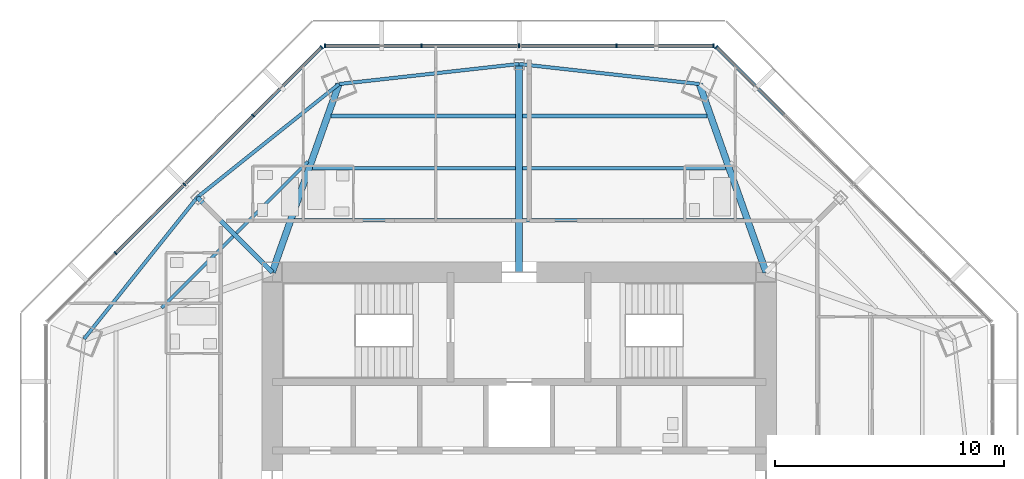
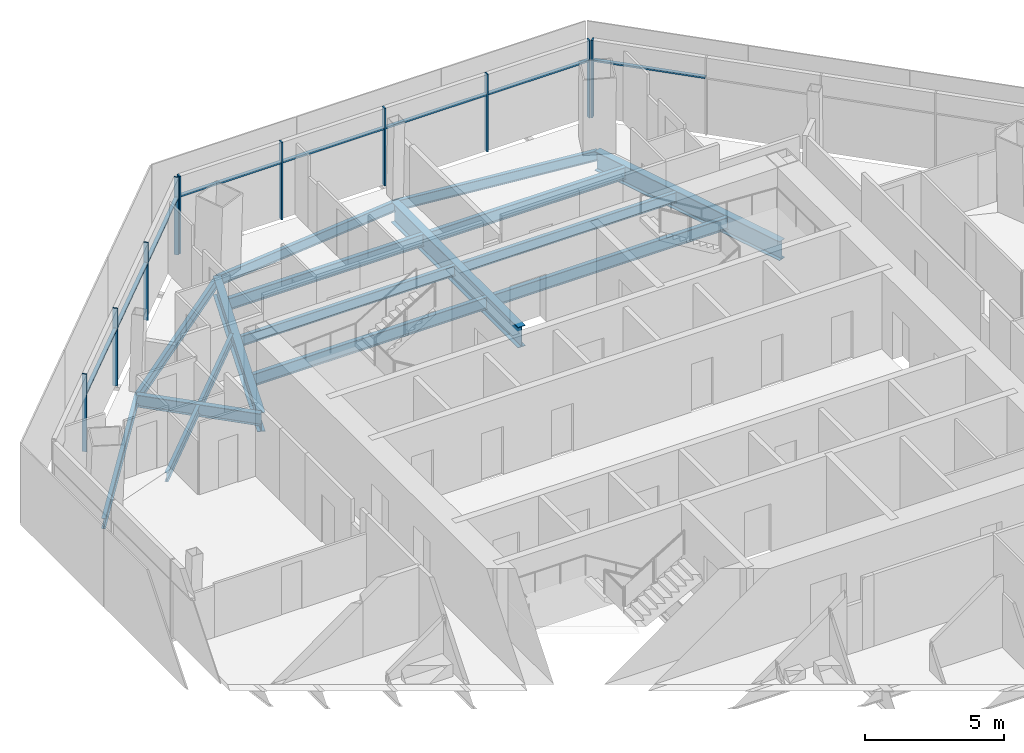
# One storey, part 5 of 15: 18 members, 16 beams, 3 elements without a shape of their own.
"""IFC4 building model written with IfcOpenShell, lengths in metres."""

from ifc_helpers import new_model, si_unit, direction, frame, origin, origin_2d, place, context, subcontext, project, spatial, rectangle, i_section, extrude, source, transform, mapped, material, material_profile, profile_set, type_object, type_shapes, element, aggregate, save


model = new_model("IFC4")

# Units and contexts
model_context = context("Model", 3, precision=1e-05, world=origin(), true_north=direction((0.0, 1.0)))
body_context = subcontext(model_context, "Body", "Model", "MODEL_VIEW")
ifc_project = project(units=[si_unit("LENGTHUNIT", "METRE"), si_unit("AREAUNIT", "SQUARE_METRE"), si_unit("VOLUMEUNIT", "CUBIC_METRE"), si_unit("PLANEANGLEUNIT", "RADIAN"), si_unit("MASSUNIT", "GRAM", prefix="KILO")], contexts=[model_context])

# Site, building, storey
site_placement = place(None, origin())
site = spatial("IfcSite", under=ifc_project, at=site_placement, CompositionType="ELEMENT")
building_placement = place(site_placement, origin())
building = spatial("IfcBuilding", under=site, at=building_placement, Name="Mashrafa Tower", CompositionType="ELEMENT")
storey_placement = place(building_placement, frame((0.0, 0.0, 258.39990234375)))
storey = spatial("IfcBuildingStorey", under=building, at=storey_placement, Name="L62", CompositionType="ELEMENT", Elevation=258.39990234375)

# Beams
ifc_material_1 = material(Name="Steel ASTM A992", Category="steel")
ifc_material_profile_1 = material_profile(ifc_material_1, i_section(OverallWidth=0.140380859375, OverallDepth=0.40380859375, WebThickness=0.007080078125, FlangeThickness=0.01123046875, FilletRadius=0.01025390625, at=origin_2d()), Name="W16X31")
ifc_profile_set_1 = profile_set([ifc_material_profile_1], Name="Steel ASTM A992")
beam_type_1 = type_object("IfcBeamType", Name="Beam W16X31", PredefinedType="BEAM", material=ifc_profile_set_1)
for number, where, z_axis, x_axis, name in (
    (1, (-15.637939453125, 9.240966796875, -0.40185546875), (0.707106781187, 0.707106781187, 0.0), (-0.707106781187, 0.707106781187, 0.0), "Floor beam L62 003"),
    (2, (-12.365478515625, 12.513427734375, -0.40185546875), (0.707106781187, 0.707106781187, 0.0), (-0.707106781187, 0.707106781187, 0.0), "Floor beam L62 009"),
):
    element("IfcBeam", number, at=place(storey_placement, frame(where, z_axis=z_axis, x_axis=x_axis)), inside=storey, type_object=beam_type_1, Name=name, PredefinedType="BEAM", context=body_context, shape_type="SweptSolid", body=[
        extrude(i_section(OverallWidth=0.140380859375, OverallDepth=0.40380859375, WebThickness=0.007080078125, FlangeThickness=0.01123046875, FilletRadius=0.01025390625, at=origin_2d()), origin(), (0.0, 0.0, 1.0), 4.418701171875),
    ])
ifc_material_2 = material(Name="Steel ASTM A992", Category="steel")
ifc_material_profile_2 = material_profile(ifc_material_2, i_section(OverallWidth=0.15234375, OverallDepth=0.449462890625, WebThickness=0.007568359375, FlangeThickness=0.0107421875, FilletRadius=0.01025390625, at=origin_2d()), Name="W18X35")
ifc_profile_set_2 = profile_set([ifc_material_profile_2], Name="Steel ASTM A992")
beam_type_2 = type_object("IfcBeamType", Name="Beam W18X35", PredefinedType="BEAM", material=ifc_profile_set_2)
for number, where, z_axis, x_axis, name in (
    (3, (-9.03125, 15.355224609375, -0.4248046875), (1.0, 0.0, 0.0), (0.0, 1.0, 0.0), "Floor beam L62 011"),
    (4, (0.15234375, 15.355224609375, -0.4248046875), (1.0, 0.0, 0.0), (0.0, 1.0, 0.0), "Floor beam L62 018"),
):
    element("IfcBeam", number, at=place(storey_placement, frame(where, z_axis=z_axis, x_axis=x_axis)), inside=storey, type_object=beam_type_2, Name=name, PredefinedType="BEAM", context=body_context, shape_type="SweptSolid", body=[
        extrude(i_section(OverallWidth=0.15234375, OverallDepth=0.449462890625, WebThickness=0.007568359375, FlangeThickness=0.0107421875, FilletRadius=0.01025390625, at=origin_2d()), origin(), (0.0, 0.0, 1.0), 8.87890625),
    ])
for number, where, z_axis, x_axis, name in (
    (5, (-14.078857421875, 14.078857421875, -0.4248046875), (-0.624492339939, -0.781030932395, 0.0), (0.781030932395, -0.624492339939, 0.0), "Spandrel beam L62 053"),
    (6, (-7.883544921875, 19.032470703125, -0.4248046875), (-0.781030932395, -0.624492339939, 0.0), (0.624492339939, -0.781030932395, 0.0), "Spandrel beam L62 055"),
):
    element("IfcBeam", number, at=place(storey_placement, frame(where, z_axis=z_axis, x_axis=x_axis)), inside=storey, type_object=beam_type_2, Name=name, PredefinedType="BEAM", context=body_context, shape_type="SweptSolid", body=[
        extrude(i_section(OverallWidth=0.15234375, OverallDepth=0.449462890625, WebThickness=0.007568359375, FlangeThickness=0.0107421875, FilletRadius=0.01025390625, at=origin_2d()), origin(), (0.0, 0.0, 1.0), 7.93212890625),
    ])
for number, where, z_axis, x_axis, name in (
    (7, (0.0, 19.91064453125, -0.4248046875), (-0.993852918056, -0.110708523931, 0.0), (0.110708523931, -0.993852918056, 0.0), "Spandrel beam L62 057"),
    (8, (7.883544921875, 19.032470703125, -0.4248046875), (-0.993852918056, 0.110708523931, 0.0), (-0.110708523931, -0.993852918056, 0.0), "Spandrel beam L62 059"),
):
    element("IfcBeam", number, at=place(storey_placement, frame(where, z_axis=z_axis, x_axis=x_axis)), inside=storey, type_object=beam_type_2, Name=name, PredefinedType="BEAM", context=body_context, shape_type="SweptSolid", body=[
        extrude(i_section(OverallWidth=0.15234375, OverallDepth=0.449462890625, WebThickness=0.007568359375, FlangeThickness=0.0107421875, FilletRadius=0.01025390625, at=origin_2d()), origin(), (0.0, 0.0, 1.0), 7.932373046875),
    ])
ifc_material_3 = material(Name="Steel ASTM A992", Category="steel")
ifc_material_profile_3 = material_profile(ifc_material_3, i_section(OverallWidth=0.165771484375, OverallDepth=0.5283203125, WebThickness=0.009765625, FlangeThickness=0.013671875, FilletRadius=0.012939453125, at=origin_2d()), Name="W21X50")
ifc_profile_set_3 = profile_set([ifc_material_profile_3], Name="Steel ASTM A992")
beam_type_3 = type_object("IfcBeamType", Name="Beam W21X50", PredefinedType="BEAM", material=ifc_profile_set_3)
beam_1_placement = place(storey_placement, frame((-9.838134765625, 13.07763671875, -0.464111328125), z_axis=(1.0, 0.0, 0.0), x_axis=(0.0, 1.0, 0.0)))
element("IfcBeam", 9, at=beam_1_placement, inside=storey, type_object=beam_type_3, Name="Floor beam L62 010", PredefinedType="BEAM", context=body_context, shape_type="SweptSolid", body=[
    extrude(i_section(OverallWidth=0.165771484375, OverallDepth=0.5283203125, WebThickness=0.009765625, FlangeThickness=0.013671875, FilletRadius=0.012939453125, at=origin_2d()), origin(), (0.0, 0.0, 1.0), 9.685791015625),
])
beam_2_placement = place(storey_placement, frame((-8.224365234375, 17.633056640625, -0.464111328125), z_axis=(1.0, 0.0, 0.0), x_axis=(0.0, 1.0, 0.0)))
element("IfcBeam", 10, at=beam_2_placement, inside=storey, type_object=beam_type_3, Name="Floor beam L62 013", PredefinedType="BEAM", context=body_context, shape_type="SweptSolid", body=[
    extrude(i_section(OverallWidth=0.165771484375, OverallDepth=0.5283203125, WebThickness=0.009765625, FlangeThickness=0.013671875, FilletRadius=0.012939453125, at=origin_2d()), origin(), (0.0, 0.0, 1.0), 8.072021484375),
])
beam_3_placement = place(storey_placement, frame((0.15234375, 13.07763671875, -0.464111328125), z_axis=(1.0, 0.0, 0.0), x_axis=(0.0, 1.0, 0.0)))
element("IfcBeam", 11, at=beam_3_placement, inside=storey, type_object=beam_type_3, Name="Floor beam L62 017", PredefinedType="BEAM", context=body_context, shape_type="SweptSolid", body=[
    extrude(i_section(OverallWidth=0.165771484375, OverallDepth=0.5283203125, WebThickness=0.009765625, FlangeThickness=0.013671875, FilletRadius=0.012939453125, at=origin_2d()), origin(), (0.0, 0.0, 1.0), 9.685791015625),
])
beam_4_placement = place(storey_placement, frame((0.15234375, 17.633056640625, -0.464111328125), z_axis=(1.0, 0.0, 0.0), x_axis=(0.0, 1.0, 0.0)))
element("IfcBeam", 12, at=beam_4_placement, inside=storey, type_object=beam_type_3, Name="Floor beam L62 019", PredefinedType="BEAM", context=body_context, shape_type="SweptSolid", body=[
    extrude(i_section(OverallWidth=0.165771484375, OverallDepth=0.5283203125, WebThickness=0.009765625, FlangeThickness=0.013671875, FilletRadius=0.012939453125, at=origin_2d()), origin(), (0.0, 0.0, 1.0), 8.072021484375),
])
ifc_material_4 = material(Name="Steel ASTM A992", Category="steel")
ifc_material_profile_4 = material_profile(ifc_material_4, i_section(OverallWidth=0.209228515625, OverallDepth=0.533447265625, WebThickness=0.01025390625, FlangeThickness=0.015625, FilletRadius=0.012939453125, at=origin_2d()), Name="W21X62")
ifc_profile_set_4 = profile_set([ifc_material_profile_4], Name="Steel ASTM A992")
beam_type_4 = type_object("IfcBeamType", Name="Beam W21X62", PredefinedType="BEAM", material=ifc_profile_set_4)
beam_5_placement = place(storey_placement, frame((-10.800048828125, 10.800048828125, -0.466552734375), z_axis=(-0.707106781187, 0.707106781187, 0.0), x_axis=(-0.707106781187, -0.707106781187, 0.0)))
element("IfcBeam", 13, at=beam_5_placement, inside=storey, type_object=beam_type_4, Name="Radial girder L62 038", PredefinedType="BEAM", context=body_context, shape_type="SweptSolid", body=[
    extrude(i_section(OverallWidth=0.209228515625, OverallDepth=0.533447265625, WebThickness=0.01025390625, FlangeThickness=0.015625, FilletRadius=0.012939453125, at=origin_2d()), origin(), (0.0, 0.0, 1.0), 4.636962890625),
])
ifc_material_5 = material(Name="Steel ASTM A992", Category="steel")
ifc_material_profile_5 = material_profile(ifc_material_5, i_section(OverallWidth=0.2919921875, OverallDepth=0.8408203125, WebThickness=0.0146484375, FlangeThickness=0.021728515625, FilletRadius=0.017333984375, at=origin_2d()), Name="W33X130")
ifc_profile_set_5 = profile_set([ifc_material_profile_5], Name="Steel ASTM A992")
beam_type_5 = type_object("IfcBeamType", Name="Beam W33X130", PredefinedType="BEAM", material=ifc_profile_set_5)
for number, where, z_axis, x_axis, name in (
    (14, (-10.800048828125, 10.800048828125, -0.620361328125), (0.333934074137, 0.942596432271, 0.0), (-0.942596432271, 0.333934074137, 0.0), "Radial girder L62 039"),
    (15, (10.800048828125, 10.800048828125, -0.620361328125), (-0.333934074137, 0.942596432271, 0.0), (-0.942596432271, -0.333934074137, 0.0), "Radial girder L62 046"),
):
    element("IfcBeam", number, at=place(storey_placement, frame(where, z_axis=z_axis, x_axis=x_axis)), inside=storey, type_object=beam_type_5, Name=name, PredefinedType="BEAM", context=body_context, shape_type="SweptSolid", body=[
        extrude(i_section(OverallWidth=0.2919921875, OverallDepth=0.8408203125, WebThickness=0.0146484375, FlangeThickness=0.021728515625, FilletRadius=0.017333984375, at=origin_2d()), origin(), (0.0, 0.0, 1.0), 8.73388671875),
    ])
ifc_material_6 = material(Name="Steel ASTM A992", Category="steel")
ifc_material_profile_6 = material_profile(ifc_material_6, i_section(OverallWidth=0.3046875, OverallDepth=0.911865234375, WebThickness=0.015869140625, FlangeThickness=0.02392578125, FilletRadius=0.01904296875, at=origin_2d()), Name="W36X150")
ifc_profile_set_6 = profile_set([ifc_material_profile_6], Name="Steel ASTM A992")
beam_type_6 = type_object("IfcBeamType", Name="Beam W36X150", PredefinedType="BEAM", material=ifc_profile_set_6)
beam_6_placement = place(storey_placement, frame((0.0, 10.800048828125, -0.65576171875), z_axis=(0.0, 1.0, 0.0), x_axis=(-1.0, 0.0, 0.0)))
element("IfcBeam", 16, at=beam_6_placement, inside=storey, type_object=beam_type_6, Name="Radial girder L62 041", PredefinedType="BEAM", context=body_context, shape_type="SweptSolid", body=[
    extrude(i_section(OverallWidth=0.3046875, OverallDepth=0.911865234375, WebThickness=0.015869140625, FlangeThickness=0.02392578125, FilletRadius=0.01904296875, at=origin_2d()), origin(), (0.0, 0.0, 1.0), 9.110595703125),
])

# Curtain wall, member
ifc_material_7 = material(Name="Unitised aluminium curtain wall", Category="aluminium")
curtain_wall_type = type_object("IfcCurtainWallType", Name="Apartment curtain wall, zone 3 CW-C 180 deep", PredefinedType="NOTDEFINED", material=ifc_material_7)
curtain_wall_1_placement = place(storey_placement, origin())
curtain_wall_1 = element("IfcCurtainWall", 17, at=curtain_wall_1_placement, inside=storey, type_object=curtain_wall_type, Name="Apartment curtain wall, zone 3 L62 north-east", PredefinedType="NOTDEFINED")
ifc_material_8 = material(Name="Extruded aluminium mullion", Category="aluminium")
ifc_material_profile_7 = material_profile(ifc_material_8, rectangle(XDim=0.179931640625, YDim=0.06005859375, at=origin_2d()), Name="Mullion 60x180")
ifc_profile_set_7 = profile_set([ifc_material_profile_7], Name="Extruded aluminium mullion")
member_type_1 = type_object("IfcMemberType", Name="Mullion CW-C 60 x 180", PredefinedType="MULLION", material=ifc_profile_set_7)
shared_shape_1 = source(origin(), body_context, "Body", "SweptSolid", [
    extrude(rectangle(XDim=0.179931640625, YDim=0.06005859375, at=origin_2d()), origin(), (0.0, 0.0, 1.0), 3.400146484375),
])
type_shapes(member_type_1, [shared_shape_1])
member_1_placement = place(storey_placement, frame((8.630859375, 20.650390625, 0.0), z_axis=(0.0, 0.0, 1.0), x_axis=(-0.707106781187, -0.707106781187, 0.0)))
member_1 = element("IfcMember", 18, at=member_1_placement, type_object=member_type_1, Name="CW-C mullion 5", PredefinedType="MULLION", context=body_context, shape_type="MappedRepresentation", body=[
    mapped(shared_shape_1, transform((0.0, 0.0, 0.0))),
])

# Curtain wall, members
curtain_wall_2_placement = place(storey_placement, origin())
curtain_wall_2 = element("IfcCurtainWall", 19, at=curtain_wall_2_placement, inside=storey, type_object=curtain_wall_type, Name="Apartment curtain wall, zone 3 L62 north", PredefinedType="NOTDEFINED")
member_2_placement = place(storey_placement, frame((8.4990234375, 20.704833984375, 0.0), z_axis=(0.0, 0.0, 1.0), x_axis=(0.0, -1.0, 0.0)))
member_2 = element("IfcMember", 20, at=member_2_placement, type_object=member_type_1, Name="CW-C mullion 1", PredefinedType="MULLION", context=body_context, shape_type="MappedRepresentation", body=[
    mapped(shared_shape_1, transform((0.0, 0.0, 0.0))),
])
member_3_placement = place(storey_placement, frame((4.264404296875, 20.704833984375, 0.0), z_axis=(0.0, 0.0, 1.0), x_axis=(0.0, -1.0, 0.0)))
member_3 = element("IfcMember", 21, at=member_3_placement, type_object=member_type_1, Name="CW-C mullion 2", PredefinedType="MULLION", context=body_context, shape_type="MappedRepresentation", body=[
    mapped(shared_shape_1, transform((0.0, 0.0, 0.0))),
])
member_4_placement = place(storey_placement, frame((0.0, 20.704833984375, 0.0), z_axis=(0.0, 0.0, 1.0), x_axis=(0.0, -1.0, 0.0)))
member_4 = element("IfcMember", 22, at=member_4_placement, type_object=member_type_1, Name="CW-C mullion 3", PredefinedType="MULLION", context=body_context, shape_type="MappedRepresentation", body=[
    mapped(shared_shape_1, transform((0.0, 0.0, 0.0))),
])
member_5_placement = place(storey_placement, frame((-4.264404296875, 20.704833984375, 0.0), z_axis=(0.0, 0.0, 1.0), x_axis=(0.0, -1.0, 0.0)))
member_5 = element("IfcMember", 23, at=member_5_placement, type_object=member_type_1, Name="CW-C mullion 4", PredefinedType="MULLION", context=body_context, shape_type="MappedRepresentation", body=[
    mapped(shared_shape_1, transform((0.0, 0.0, 0.0))),
])
member_6_placement = place(storey_placement, frame((-8.4990234375, 20.704833984375, 0.0), z_axis=(0.0, 0.0, 1.0), x_axis=(0.0, -1.0, 0.0)))
member_6 = element("IfcMember", 24, at=member_6_placement, type_object=member_type_1, Name="CW-C mullion 5", PredefinedType="MULLION", context=body_context, shape_type="MappedRepresentation", body=[
    mapped(shared_shape_1, transform((0.0, 0.0, 0.0))),
])

curtain_wall_3_placement = place(storey_placement, origin())
curtain_wall_3 = element("IfcCurtainWall", 25, at=curtain_wall_3_placement, inside=storey, type_object=curtain_wall_type, Name="Apartment curtain wall, zone 3 L62 north-west", PredefinedType="NOTDEFINED")
member_7_placement = place(storey_placement, frame((-8.630859375, 20.650390625, 0.0), z_axis=(0.0, 0.0, 1.0), x_axis=(0.707106781187, -0.707106781187, 0.0)))
member_7 = element("IfcMember", 26, at=member_7_placement, type_object=member_type_1, Name="CW-C mullion 1", PredefinedType="MULLION", context=body_context, shape_type="MappedRepresentation", body=[
    mapped(shared_shape_1, transform((0.0, 0.0, 0.0))),
])
member_8_placement = place(storey_placement, frame((-11.625244140625, 17.656005859375, 0.0), z_axis=(0.0, 0.0, 1.0), x_axis=(0.707106781187, -0.707106781187, 0.0)))
member_8 = element("IfcMember", 27, at=member_8_placement, type_object=member_type_1, Name="CW-C mullion 2", PredefinedType="MULLION", context=body_context, shape_type="MappedRepresentation", body=[
    mapped(shared_shape_1, transform((0.0, 0.0, 0.0))),
])
member_9_placement = place(storey_placement, frame((-14.640625, 14.640625, 0.0), z_axis=(0.0, 0.0, 1.0), x_axis=(0.707106781187, -0.707106781187, 0.0)))
member_9 = element("IfcMember", 28, at=member_9_placement, type_object=member_type_1, Name="CW-C mullion 3", PredefinedType="MULLION", context=body_context, shape_type="MappedRepresentation", body=[
    mapped(shared_shape_1, transform((0.0, 0.0, 0.0))),
])
member_10_placement = place(storey_placement, frame((-17.656005859375, 11.625244140625, 0.0), z_axis=(0.0, 0.0, 1.0), x_axis=(0.707106781187, -0.707106781187, 0.0)))
member_10 = element("IfcMember", 29, at=member_10_placement, type_object=member_type_1, Name="CW-C mullion 4", PredefinedType="MULLION", context=body_context, shape_type="MappedRepresentation", body=[
    mapped(shared_shape_1, transform((0.0, 0.0, 0.0))),
])

# Member
ifc_material_9 = material(Name="Extruded aluminium transom", Category="aluminium")
ifc_material_profile_8 = material_profile(ifc_material_9, rectangle(XDim=0.14404296875, YDim=0.074951171875, at=origin_2d()), Name="Transom 75x144")
ifc_profile_set_8 = profile_set([ifc_material_profile_8], Name="Extruded aluminium transom")
member_type_2 = type_object("IfcMemberType", Name="Transom CW-C 75 x 144", PredefinedType="MULLION", material=ifc_profile_set_8)
shared_shape_2 = source(origin(), body_context, "Body", "SweptSolid", [
    extrude(rectangle(XDim=0.14404296875, YDim=0.074951171875, at=origin_2d()), origin(), (0.0, 0.0, 1.0), 4.174560546875),
])
member_11_placement = place(storey_placement, frame((11.60400390625, 17.67724609375, 2.5), z_axis=(-0.707106781187, 0.707106781187, 0.0), x_axis=(-0.707106781187, -0.707106781187, 0.0)))
member_11 = element("IfcMember", 30, at=member_11_placement, type_object=member_type_2, Name="CW-C transom 4", PredefinedType="MULLION", context=body_context, shape_type="MappedRepresentation", body=[
    mapped(shared_shape_2, transform((0.0, 0.0, 0.0))),
])

aggregate(curtain_wall_1, [member_1, member_11])

member_12_placement = place(storey_placement, frame((8.468994140625, 20.704833984375, 2.5), z_axis=(-1.0, 0.0, 0.0), x_axis=(0.0, -1.0, 0.0)))
member_12 = element("IfcMember", 31, at=member_12_placement, type_object=member_type_2, Name="CW-C transom 1", PredefinedType="MULLION", context=body_context, shape_type="MappedRepresentation", body=[
    mapped(shared_shape_2, transform((0.0, 0.0, 0.0))),
])

member_13_placement = place(storey_placement, frame((-4.29443359375, 20.704833984375, 2.5), z_axis=(-1.0, 0.0, 0.0), x_axis=(0.0, -1.0, 0.0)))
member_13 = element("IfcMember", 32, at=member_13_placement, type_object=member_type_2, Name="CW-C transom 4", PredefinedType="MULLION", context=body_context, shape_type="MappedRepresentation", body=[
    mapped(shared_shape_2, transform((0.0, 0.0, 0.0))),
])

member_14_placement = place(storey_placement, frame((-8.652099609375, 20.629150390625, 2.5), z_axis=(-0.707106781187, -0.707106781187, 0.0), x_axis=(0.707106781187, -0.707106781187, 0.0)))
member_14 = element("IfcMember", 33, at=member_14_placement, type_object=member_type_2, Name="CW-C transom 1", PredefinedType="MULLION", context=body_context, shape_type="MappedRepresentation", body=[
    mapped(shared_shape_2, transform((0.0, 0.0, 0.0))),
])

shared_shape_3 = source(origin(), body_context, "Body", "SweptSolid", [
    extrude(rectangle(XDim=0.14404296875, YDim=0.074951171875, at=origin_2d()), origin(), (0.0, 0.0, 1.0), 4.204345703125),
])
type_shapes(member_type_2, [shared_shape_2, shared_shape_3])
member_15_placement = place(storey_placement, frame((4.234375, 20.704833984375, 2.5), z_axis=(-1.0, 0.0, 0.0), x_axis=(0.0, -1.0, 0.0)))
member_15 = element("IfcMember", 34, at=member_15_placement, type_object=member_type_2, Name="CW-C transom 2", PredefinedType="MULLION", context=body_context, shape_type="MappedRepresentation", body=[
    mapped(shared_shape_3, transform((0.0, 0.0, 0.0))),
])

member_16_placement = place(storey_placement, frame((-0.030029296875, 20.704833984375, 2.5), z_axis=(-1.0, 0.0, 0.0), x_axis=(0.0, -1.0, 0.0)))
member_16 = element("IfcMember", 35, at=member_16_placement, type_object=member_type_2, Name="CW-C transom 3", PredefinedType="MULLION", context=body_context, shape_type="MappedRepresentation", body=[
    mapped(shared_shape_3, transform((0.0, 0.0, 0.0))),
])

aggregate(curtain_wall_2, [member_2, member_3, member_4, member_5, member_6, member_12, member_15, member_16, member_13])

member_17_placement = place(storey_placement, frame((-11.646484375, 17.634765625, 2.5), z_axis=(-0.707106781187, -0.707106781187, 0.0), x_axis=(0.707106781187, -0.707106781187, 0.0)))
member_17 = element("IfcMember", 36, at=member_17_placement, type_object=member_type_2, Name="CW-C transom 2", PredefinedType="MULLION", context=body_context, shape_type="MappedRepresentation", body=[
    mapped(shared_shape_3, transform((0.0, 0.0, 0.0))),
])

member_18_placement = place(storey_placement, frame((-14.661865234375, 14.619384765625, 2.5), z_axis=(-0.707106781187, -0.707106781187, 0.0), x_axis=(0.707106781187, -0.707106781187, 0.0)))
member_18 = element("IfcMember", 37, at=member_18_placement, type_object=member_type_2, Name="CW-C transom 3", PredefinedType="MULLION", context=body_context, shape_type="MappedRepresentation", body=[
    mapped(shared_shape_3, transform((0.0, 0.0, 0.0))),
])

aggregate(curtain_wall_3, [member_7, member_8, member_9, member_10, member_14, member_17, member_18])

save(model, "model.ifc")
